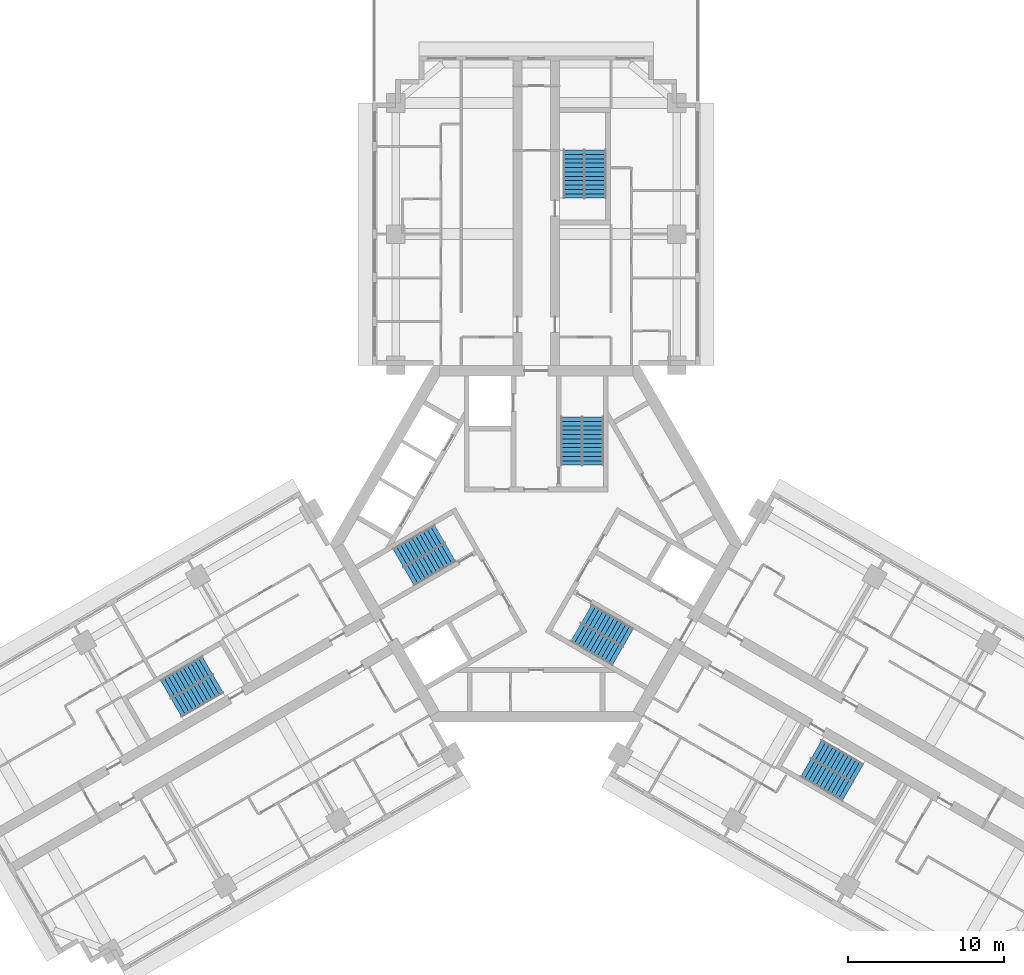
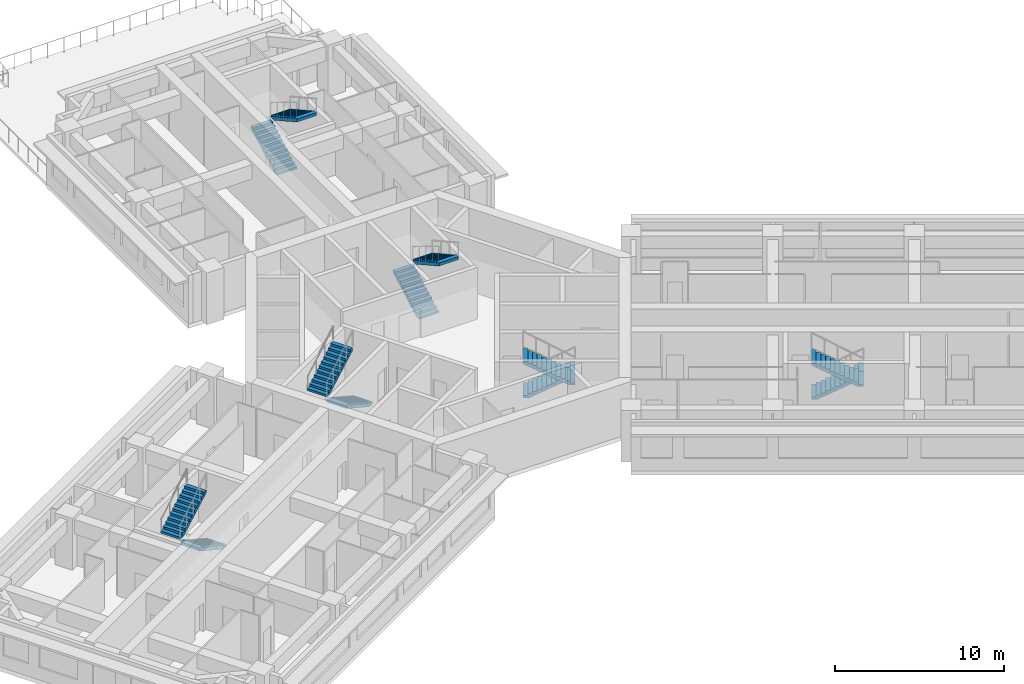
# One storey, part 10 of 12: 12 stair flights, 6 elements without a shape of their own.
"""IFC4 building model written with IfcOpenShell, lengths in metres."""

from ifc_helpers import new_model, si_unit, direction, frame, origin, place, context, subcontext, project, spatial, polyline, outline, extrude, material, type_object, element, aggregate, save


model = new_model("IFC4")

# Units and contexts
model_context = context("Model", 3, precision=1e-05, world=origin(), true_north=direction((0.0, 1.0)))
body_context = subcontext(model_context, "Body", "Model", "MODEL_VIEW")
ifc_project = project(units=[si_unit("LENGTHUNIT", "METRE"), si_unit("AREAUNIT", "SQUARE_METRE"), si_unit("VOLUMEUNIT", "CUBIC_METRE"), si_unit("PLANEANGLEUNIT", "RADIAN"), si_unit("MASSUNIT", "GRAM", prefix="KILO")], contexts=[model_context])

# Site, building, storey
site_placement = place(None, origin())
site = spatial("IfcSite", under=ifc_project, at=site_placement, CompositionType="ELEMENT")
building_placement = place(site_placement, origin())
building = spatial("IfcBuilding", under=site, at=building_placement, Name="Impinga Residences", CompositionType="ELEMENT")
storey_placement = place(building_placement, frame((0.0, 0.0, 188.5)))
storey = spatial("IfcBuildingStorey", under=building, at=storey_placement, Name="L46", CompositionType="ELEMENT", Elevation=188.5)

# Stair, stair flights
ifc_material = material(Name="Concrete C40/50", Category="concrete")
stair_type_1 = type_object("IfcStairType", Name="STR core stair 3750 storey, 24 risers", PredefinedType="HALF_TURN_STAIR", material=ifc_material)
stair_1_placement = place(storey_placement, origin())
stair_1 = element("IfcStair", 1, at=stair_1_placement, inside=storey, type_object=stair_type_1, Name="Stair ST1 L46", PredefinedType="HALF_TURN_STAIR")
stair_flight_type = type_object("IfcStairFlightType", Name="SF 12 risers of 156", PredefinedType="STRAIGHT", material=ifc_material)
stair_flight_1_placement = place(storey_placement, frame((2.27490234375, 5.030029296875, 0.0), z_axis=(0.0, 0.0, 1.0), x_axis=(0.0, 1.0, 0.0)))
stair_flight_1 = element("IfcStairFlight", 2, at=stair_flight_1_placement, type_object=stair_flight_type, Name="ST1 flight 1", NumberOfRisers=12, NumberOfTreads=11, PredefinedType="STRAIGHT", RiserHeight=0.15625, TreadLength=0.28, context=body_context, shape_type="SweptSolid", body=[
    extrude(outline(polyline([(0.0, 0.0), (0.0, 0.15625), (0.280029296875, 0.15625), (0.280029296875, 0.3125), (0.56005859375, 0.3125), (0.56005859375, 0.46875), (0.840087890625, 0.46875), (0.840087890625, 0.625), (1.1201171875, 0.625), (1.1201171875, 0.78125), (1.39990234375, 0.78125), (1.39990234375, 0.9375), (1.679931640625, 0.9375), (1.679931640625, 1.09375), (1.9599609375, 1.09375), (1.9599609375, 1.25), (2.239990234375, 1.25), (2.239990234375, 1.40625), (2.52001953125, 1.40625), (2.52001953125, 1.5625), (2.800048828125, 1.5625), (2.800048828125, 1.71875), (3.080078125, 1.71875), (3.080078125, 1.875), (3.080078125, 1.5126953125), (0.369140625, 0.0), (0.0, 0.0)])), frame((0.0, 0.675048828125, 0.0), z_axis=(0.0, -1.0, 0.0), x_axis=(1.0, 0.0, 0.0)), (0.0, 0.0, 1.0), 1.35009765625),
])
stair_flight_2_placement = place(storey_placement, frame((3.625, 8.110107421875, 1.875), z_axis=(0.0, 0.0, 1.0), x_axis=(0.0, -1.0, 0.0)))
stair_flight_2 = element("IfcStairFlight", 3, at=stair_flight_2_placement, type_object=stair_flight_type, Name="ST1 flight 2", NumberOfRisers=12, NumberOfTreads=11, PredefinedType="STRAIGHT", RiserHeight=0.15625, TreadLength=0.28, context=body_context, shape_type="SweptSolid", body=[
    extrude(outline(polyline([(0.0, 0.0), (0.0, 0.15625), (0.280029296875, 0.15625), (0.280029296875, 0.3125), (0.56005859375, 0.3125), (0.56005859375, 0.46875), (0.840087890625, 0.46875), (0.840087890625, 0.625), (1.1201171875, 0.625), (1.1201171875, 0.78125), (1.39990234375, 0.78125), (1.39990234375, 0.9375), (1.679931640625, 0.9375), (1.679931640625, 1.09375), (1.9599609375, 1.09375), (1.9599609375, 1.25), (2.239990234375, 1.25), (2.239990234375, 1.40625), (2.52001953125, 1.40625), (2.52001953125, 1.5625), (2.800048828125, 1.5625), (2.800048828125, 1.71875), (3.080078125, 1.71875), (3.080078125, 1.875), (3.080078125, 1.5126953125), (0.369140625, 0.0), (0.0, 0.0)])), frame((0.0, 0.675048828125, 0.0), z_axis=(0.0, -1.0, 0.0), x_axis=(1.0, 0.0, 0.0)), (0.0, 0.0, 1.0), 1.35009765625),
])
aggregate(stair_1, [stair_flight_1, stair_flight_2])

stair_2_placement = place(storey_placement, origin())
stair_2 = element("IfcStair", 4, at=stair_2_placement, inside=storey, type_object=stair_type_1, Name="Stair ST2 L46", PredefinedType="HALF_TURN_STAIR")
stair_flight_3_placement = place(storey_placement, frame((-5.49365234375, -0.544677734375, 0.0), z_axis=(0.0, 0.0, 1.0), x_axis=(-0.866025403784, -0.5, 0.0)))
stair_flight_3 = element("IfcStairFlight", 5, at=stair_flight_3_placement, type_object=stair_flight_type, Name="ST2 flight 1", NumberOfRisers=12, NumberOfTreads=11, PredefinedType="STRAIGHT", RiserHeight=0.15625, TreadLength=0.28, context=body_context, shape_type="SweptSolid", body=[
    extrude(outline(polyline([(0.0, 0.0), (0.0, 0.15625), (0.280029296875, 0.15625), (0.280029296875, 0.3125), (0.56005859375, 0.3125), (0.56005859375, 0.46875), (0.840087890625, 0.46875), (0.840087890625, 0.625), (1.1201171875, 0.625), (1.1201171875, 0.78125), (1.39990234375, 0.78125), (1.39990234375, 0.9375), (1.679931640625, 0.9375), (1.679931640625, 1.09375), (1.9599609375, 1.09375), (1.9599609375, 1.25), (2.239990234375, 1.25), (2.239990234375, 1.40625), (2.52001953125, 1.40625), (2.52001953125, 1.5625), (2.800048828125, 1.5625), (2.800048828125, 1.71875), (3.080078125, 1.71875), (3.080078125, 1.875), (3.080078125, 1.5126953125), (0.369140625, 0.0), (0.0, 0.0)])), frame((0.0, 0.675048828125, 0.0), z_axis=(0.0, -1.0, 0.0), x_axis=(1.0, 0.0, 0.0)), (0.0, 0.0, 1.0), 1.35009765625),
])
stair_flight_4_placement = place(storey_placement, frame((-8.8359375, -0.915771484375, 1.875), z_axis=(0.0, 0.0, 1.0), x_axis=(0.866025403784, 0.5, 0.0)))
stair_flight_4 = element("IfcStairFlight", 6, at=stair_flight_4_placement, type_object=stair_flight_type, Name="ST2 flight 2", NumberOfRisers=12, NumberOfTreads=11, PredefinedType="STRAIGHT", RiserHeight=0.15625, TreadLength=0.28, context=body_context, shape_type="SweptSolid", body=[
    extrude(outline(polyline([(0.0, 0.0), (0.0, 0.15625), (0.280029296875, 0.15625), (0.280029296875, 0.3125), (0.56005859375, 0.3125), (0.56005859375, 0.46875), (0.840087890625, 0.46875), (0.840087890625, 0.625), (1.1201171875, 0.625), (1.1201171875, 0.78125), (1.39990234375, 0.78125), (1.39990234375, 0.9375), (1.679931640625, 0.9375), (1.679931640625, 1.09375), (1.9599609375, 1.09375), (1.9599609375, 1.25), (2.239990234375, 1.25), (2.239990234375, 1.40625), (2.52001953125, 1.40625), (2.52001953125, 1.5625), (2.800048828125, 1.5625), (2.800048828125, 1.71875), (3.080078125, 1.71875), (3.080078125, 1.875), (3.080078125, 1.5126953125), (0.369140625, 0.0), (0.0, 0.0)])), frame((0.0, 0.675048828125, 0.0), z_axis=(0.0, -1.0, 0.0), x_axis=(1.0, 0.0, 0.0)), (0.0, 0.0, 1.0), 1.35009765625),
])
aggregate(stair_2, [stair_flight_3, stair_flight_4])

stair_3_placement = place(storey_placement, origin())
stair_3 = element("IfcStair", 7, at=stair_3_placement, inside=storey, type_object=stair_type_1, Name="Stair ST3 L46", PredefinedType="HALF_TURN_STAIR")
stair_flight_5_placement = place(storey_placement, frame((3.218505859375, -4.485107421875, 0.0), z_axis=(0.0, 0.0, 1.0), x_axis=(0.866025403784, -0.5, 0.0)))
stair_flight_5 = element("IfcStairFlight", 8, at=stair_flight_5_placement, type_object=stair_flight_type, Name="ST3 flight 1", NumberOfRisers=12, NumberOfTreads=11, PredefinedType="STRAIGHT", RiserHeight=0.15625, TreadLength=0.28, context=body_context, shape_type="SweptSolid", body=[
    extrude(outline(polyline([(0.0, 0.0), (0.0, 0.15625), (0.280029296875, 0.15625), (0.280029296875, 0.3125), (0.56005859375, 0.3125), (0.56005859375, 0.46875), (0.840087890625, 0.46875), (0.840087890625, 0.625), (1.1201171875, 0.625), (1.1201171875, 0.78125), (1.39990234375, 0.78125), (1.39990234375, 0.9375), (1.679931640625, 0.9375), (1.679931640625, 1.09375), (1.9599609375, 1.09375), (1.9599609375, 1.25), (2.239990234375, 1.25), (2.239990234375, 1.40625), (2.52001953125, 1.40625), (2.52001953125, 1.5625), (2.800048828125, 1.5625), (2.800048828125, 1.71875), (3.080078125, 1.71875), (3.080078125, 1.875), (3.080078125, 1.5126953125), (0.369140625, 0.0), (0.0, 0.0)])), frame((0.0, 0.675048828125, 0.0), z_axis=(0.0, -1.0, 0.0), x_axis=(1.0, 0.0, 0.0)), (0.0, 0.0, 1.0), 1.35009765625),
])
stair_flight_6_placement = place(storey_placement, frame((5.2109375, -7.1943359375, 1.875), z_axis=(0.0, 0.0, 1.0), x_axis=(-0.866025403784, 0.5, 0.0)))
stair_flight_6 = element("IfcStairFlight", 9, at=stair_flight_6_placement, type_object=stair_flight_type, Name="ST3 flight 2", NumberOfRisers=12, NumberOfTreads=11, PredefinedType="STRAIGHT", RiserHeight=0.15625, TreadLength=0.28, context=body_context, shape_type="SweptSolid", body=[
    extrude(outline(polyline([(0.0, 0.0), (0.0, 0.15625), (0.280029296875, 0.15625), (0.280029296875, 0.3125), (0.56005859375, 0.3125), (0.56005859375, 0.46875), (0.840087890625, 0.46875), (0.840087890625, 0.625), (1.1201171875, 0.625), (1.1201171875, 0.78125), (1.39990234375, 0.78125), (1.39990234375, 0.9375), (1.679931640625, 0.9375), (1.679931640625, 1.09375), (1.9599609375, 1.09375), (1.9599609375, 1.25), (2.239990234375, 1.25), (2.239990234375, 1.40625), (2.52001953125, 1.40625), (2.52001953125, 1.5625), (2.800048828125, 1.5625), (2.800048828125, 1.71875), (3.080078125, 1.71875), (3.080078125, 1.875), (3.080078125, 1.5126953125), (0.369140625, 0.0), (0.0, 0.0)])), frame((0.0, 0.675048828125, 0.0), z_axis=(0.0, -1.0, 0.0), x_axis=(1.0, 0.0, 0.0)), (0.0, 0.0, 1.0), 1.35009765625),
])
aggregate(stair_3, [stair_flight_5, stair_flight_6])

stair_type_2 = type_object("IfcStairType", Name="STR wing stair 3750 storey, 24 risers", PredefinedType="HALF_TURN_STAIR", material=ifc_material)
stair_4_placement = place(storey_placement, origin())
stair_4 = element("IfcStair", 10, at=stair_4_placement, inside=storey, type_object=stair_type_2, Name="Stair WS1 L46", PredefinedType="HALF_TURN_STAIR")
stair_flight_7_placement = place(storey_placement, frame((2.425048828125, 22.131591796875, 0.0), z_axis=(0.0, 0.0, 1.0), x_axis=(0.0, 1.0, 0.0)))
stair_flight_7 = element("IfcStairFlight", 11, at=stair_flight_7_placement, type_object=stair_flight_type, Name="WS1 flight 1", NumberOfRisers=12, NumberOfTreads=11, PredefinedType="STRAIGHT", RiserHeight=0.15625, TreadLength=0.28, context=body_context, shape_type="SweptSolid", body=[
    extrude(outline(polyline([(0.0, 0.0), (0.0, 0.15625), (0.280029296875, 0.15625), (0.280029296875, 0.3125), (0.56005859375, 0.3125), (0.56005859375, 0.46875), (0.840087890625, 0.46875), (0.840087890625, 0.625), (1.1201171875, 0.625), (1.1201171875, 0.78125), (1.39990234375, 0.78125), (1.39990234375, 0.9375), (1.679931640625, 0.9375), (1.679931640625, 1.09375), (1.9599609375, 1.09375), (1.9599609375, 1.25), (2.239990234375, 1.25), (2.239990234375, 1.40625), (2.52001953125, 1.40625), (2.52001953125, 1.5625), (2.800048828125, 1.5625), (2.800048828125, 1.71875), (3.080078125, 1.71875), (3.080078125, 1.875), (3.080078125, 1.5126953125), (0.369140625, 0.0), (0.0, 0.0)])), frame((0.0, 0.675048828125, 0.0), z_axis=(0.0, -1.0, 0.0), x_axis=(1.0, 0.0, 0.0)), (0.0, 0.0, 1.0), 1.35009765625),
])
stair_flight_8_placement = place(storey_placement, frame((3.77490234375, 25.21142578125, 1.875), z_axis=(0.0, 0.0, 1.0), x_axis=(0.0, -1.0, 0.0)))
stair_flight_8 = element("IfcStairFlight", 12, at=stair_flight_8_placement, type_object=stair_flight_type, Name="WS1 flight 2", NumberOfRisers=12, NumberOfTreads=11, PredefinedType="STRAIGHT", RiserHeight=0.15625, TreadLength=0.28, context=body_context, shape_type="SweptSolid", body=[
    extrude(outline(polyline([(0.0, 0.0), (0.0, 0.15625), (0.280029296875, 0.15625), (0.280029296875, 0.3125), (0.56005859375, 0.3125), (0.56005859375, 0.46875), (0.840087890625, 0.46875), (0.840087890625, 0.625), (1.1201171875, 0.625), (1.1201171875, 0.78125), (1.39990234375, 0.78125), (1.39990234375, 0.9375), (1.679931640625, 0.9375), (1.679931640625, 1.09375), (1.9599609375, 1.09375), (1.9599609375, 1.25), (2.239990234375, 1.25), (2.239990234375, 1.40625), (2.52001953125, 1.40625), (2.52001953125, 1.5625), (2.800048828125, 1.5625), (2.800048828125, 1.71875), (3.080078125, 1.71875), (3.080078125, 1.875), (3.080078125, 1.5126953125), (0.369140625, 0.0), (0.0, 0.0)])), frame((0.0, 0.675048828125, 0.0), z_axis=(0.0, -1.0, 0.0), x_axis=(1.0, 0.0, 0.0)), (0.0, 0.0, 1.0), 1.35009765625),
])
aggregate(stair_4, [stair_flight_7, stair_flight_8])

stair_5_placement = place(storey_placement, origin())
stair_5 = element("IfcStair", 13, at=stair_5_placement, inside=storey, type_object=stair_type_2, Name="Stair WS2 L46", PredefinedType="HALF_TURN_STAIR")
stair_flight_9_placement = place(storey_placement, frame((-20.37890625, -8.965576171875, 0.0), z_axis=(0.0, 0.0, 1.0), x_axis=(-0.866025403784, -0.5, 0.0)))
stair_flight_9 = element("IfcStairFlight", 14, at=stair_flight_9_placement, type_object=stair_flight_type, Name="WS2 flight 1", NumberOfRisers=12, NumberOfTreads=11, PredefinedType="STRAIGHT", RiserHeight=0.15625, TreadLength=0.28, context=body_context, shape_type="SweptSolid", body=[
    extrude(outline(polyline([(0.0, 0.0), (0.0, 0.15625), (0.280029296875, 0.15625), (0.280029296875, 0.3125), (0.56005859375, 0.3125), (0.56005859375, 0.46875), (0.840087890625, 0.46875), (0.840087890625, 0.625), (1.1201171875, 0.625), (1.1201171875, 0.78125), (1.39990234375, 0.78125), (1.39990234375, 0.9375), (1.679931640625, 0.9375), (1.679931640625, 1.09375), (1.9599609375, 1.09375), (1.9599609375, 1.25), (2.239990234375, 1.25), (2.239990234375, 1.40625), (2.52001953125, 1.40625), (2.52001953125, 1.5625), (2.800048828125, 1.5625), (2.800048828125, 1.71875), (3.080078125, 1.71875), (3.080078125, 1.875), (3.080078125, 1.5126953125), (0.369140625, 0.0), (0.0, 0.0)])), frame((0.0, 0.675048828125, 0.0), z_axis=(0.0, -1.0, 0.0), x_axis=(1.0, 0.0, 0.0)), (0.0, 0.0, 1.0), 1.35009765625),
])
stair_flight_10_placement = place(storey_placement, frame((-23.721435546875, -9.33642578125, 1.875), z_axis=(0.0, 0.0, 1.0), x_axis=(0.866025403784, 0.5, 0.0)))
stair_flight_10 = element("IfcStairFlight", 15, at=stair_flight_10_placement, type_object=stair_flight_type, Name="WS2 flight 2", NumberOfRisers=12, NumberOfTreads=11, PredefinedType="STRAIGHT", RiserHeight=0.15625, TreadLength=0.28, context=body_context, shape_type="SweptSolid", body=[
    extrude(outline(polyline([(0.0, 0.0), (0.0, 0.15625), (0.280029296875, 0.15625), (0.280029296875, 0.3125), (0.56005859375, 0.3125), (0.56005859375, 0.46875), (0.840087890625, 0.46875), (0.840087890625, 0.625), (1.1201171875, 0.625), (1.1201171875, 0.78125), (1.39990234375, 0.78125), (1.39990234375, 0.9375), (1.679931640625, 0.9375), (1.679931640625, 1.09375), (1.9599609375, 1.09375), (1.9599609375, 1.25), (2.239990234375, 1.25), (2.239990234375, 1.40625), (2.52001953125, 1.40625), (2.52001953125, 1.5625), (2.800048828125, 1.5625), (2.800048828125, 1.71875), (3.080078125, 1.71875), (3.080078125, 1.875), (3.080078125, 1.5126953125), (0.369140625, 0.0), (0.0, 0.0)])), frame((0.0, 0.675048828125, 0.0), z_axis=(0.0, -1.0, 0.0), x_axis=(1.0, 0.0, 0.0)), (0.0, 0.0, 1.0), 1.35009765625),
])
aggregate(stair_5, [stair_flight_9, stair_flight_10])

stair_6_placement = place(storey_placement, origin())
stair_6 = element("IfcStair", 16, at=stair_6_placement, inside=storey, type_object=stair_type_2, Name="Stair WS3 L46", PredefinedType="HALF_TURN_STAIR")
stair_flight_11_placement = place(storey_placement, frame((17.953857421875, -13.165771484375, 0.0), z_axis=(0.0, 0.0, 1.0), x_axis=(0.866025403784, -0.5, 0.0)))
stair_flight_11 = element("IfcStairFlight", 17, at=stair_flight_11_placement, type_object=stair_flight_type, Name="WS3 flight 1", NumberOfRisers=12, NumberOfTreads=11, PredefinedType="STRAIGHT", RiserHeight=0.15625, TreadLength=0.28, context=body_context, shape_type="SweptSolid", body=[
    extrude(outline(polyline([(0.0, 0.0), (0.0, 0.15625), (0.280029296875, 0.15625), (0.280029296875, 0.3125), (0.56005859375, 0.3125), (0.56005859375, 0.46875), (0.840087890625, 0.46875), (0.840087890625, 0.625), (1.1201171875, 0.625), (1.1201171875, 0.78125), (1.39990234375, 0.78125), (1.39990234375, 0.9375), (1.679931640625, 0.9375), (1.679931640625, 1.09375), (1.9599609375, 1.09375), (1.9599609375, 1.25), (2.239990234375, 1.25), (2.239990234375, 1.40625), (2.52001953125, 1.40625), (2.52001953125, 1.5625), (2.800048828125, 1.5625), (2.800048828125, 1.71875), (3.080078125, 1.71875), (3.080078125, 1.875), (3.080078125, 1.5126953125), (0.369140625, 0.0), (0.0, 0.0)])), frame((0.0, 0.675048828125, 0.0), z_axis=(0.0, -1.0, 0.0), x_axis=(1.0, 0.0, 0.0)), (0.0, 0.0, 1.0), 1.35009765625),
])
stair_flight_12_placement = place(storey_placement, frame((19.9462890625, -15.875, 1.875), z_axis=(0.0, 0.0, 1.0), x_axis=(-0.866025403784, 0.5, 0.0)))
stair_flight_12 = element("IfcStairFlight", 18, at=stair_flight_12_placement, type_object=stair_flight_type, Name="WS3 flight 2", NumberOfRisers=12, NumberOfTreads=11, PredefinedType="STRAIGHT", RiserHeight=0.15625, TreadLength=0.28, context=body_context, shape_type="SweptSolid", body=[
    extrude(outline(polyline([(0.0, 0.0), (0.0, 0.15625), (0.280029296875, 0.15625), (0.280029296875, 0.3125), (0.56005859375, 0.3125), (0.56005859375, 0.46875), (0.840087890625, 0.46875), (0.840087890625, 0.625), (1.1201171875, 0.625), (1.1201171875, 0.78125), (1.39990234375, 0.78125), (1.39990234375, 0.9375), (1.679931640625, 0.9375), (1.679931640625, 1.09375), (1.9599609375, 1.09375), (1.9599609375, 1.25), (2.239990234375, 1.25), (2.239990234375, 1.40625), (2.52001953125, 1.40625), (2.52001953125, 1.5625), (2.800048828125, 1.5625), (2.800048828125, 1.71875), (3.080078125, 1.71875), (3.080078125, 1.875), (3.080078125, 1.5126953125), (0.369140625, 0.0), (0.0, 0.0)])), frame((0.0, 0.675048828125, 0.0), z_axis=(0.0, -1.0, 0.0), x_axis=(1.0, 0.0, 0.0)), (0.0, 0.0, 1.0), 1.35009765625),
])
aggregate(stair_6, [stair_flight_11, stair_flight_12])

save(model, "model.ifc")
